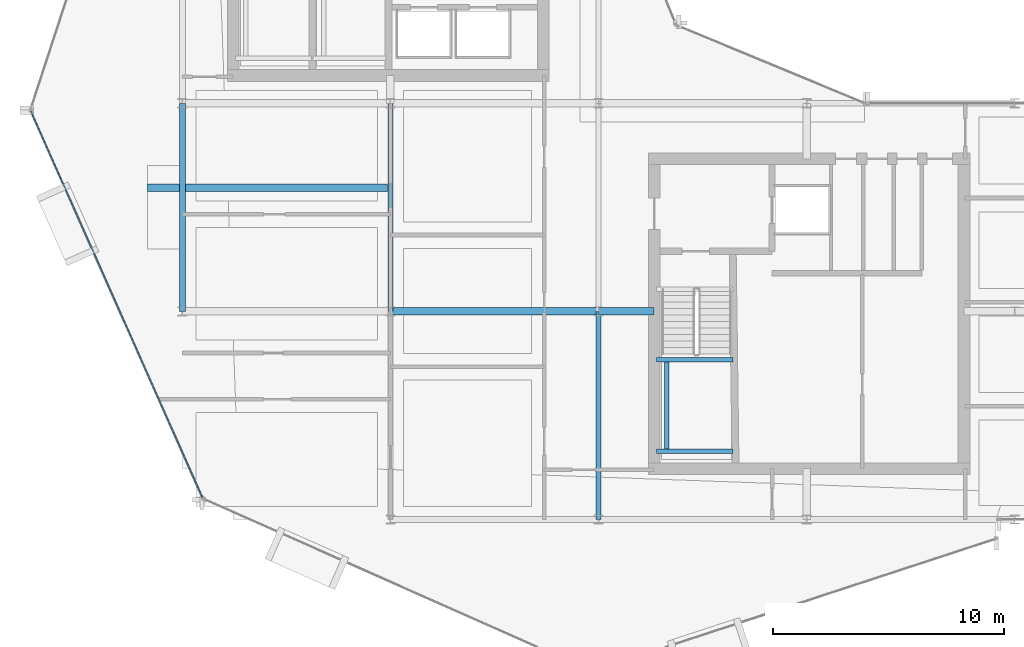
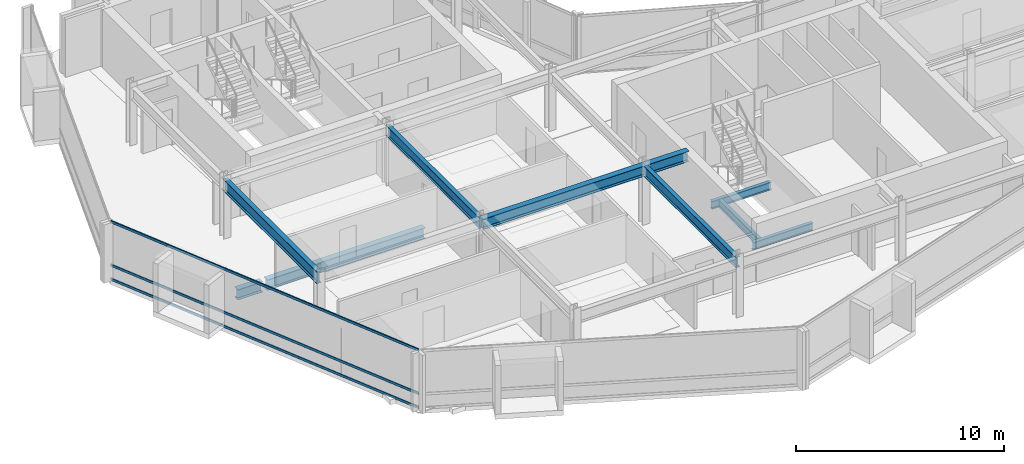
# One storey, part 5 of 28: 10 beams, 3 members, 1 element without a shape of its own.
"""IFC4 building model written with IfcOpenShell, lengths in metres."""

from ifc_helpers import new_model, si_unit, direction, frame, origin, origin_2d, place, context, subcontext, project, spatial, hollow_rectangle, i_section, extrude, material, layer, layer_set, material_profile, profile_set, type_object, element, aggregate, save


model = new_model("IFC4")

# Units and contexts
model_context = context("Model", 3, precision=1e-05, world=origin(), true_north=direction((0.0, 1.0)))
body_context = subcontext(model_context, "Body", "Model", "MODEL_VIEW")
ifc_project = project(units=[si_unit("LENGTHUNIT", "METRE"), si_unit("AREAUNIT", "SQUARE_METRE"), si_unit("VOLUMEUNIT", "CUBIC_METRE"), si_unit("PLANEANGLEUNIT", "RADIAN"), si_unit("MASSUNIT", "GRAM", prefix="KILO")], contexts=[model_context])

# Site, building, storey
site_placement = place(None, origin())
site = spatial("IfcSite", under=ifc_project, at=site_placement, CompositionType="ELEMENT")
building_placement = place(site_placement, origin())
building = spatial("IfcBuilding", under=site, at=building_placement, Name="Solvaryn Broadcast Tower", CompositionType="ELEMENT")
storey_placement = place(building_placement, frame((0.0, 0.0, 213.60009765625)))
storey = spatial("IfcBuildingStorey", under=building, at=storey_placement, Name="L53", CompositionType="ELEMENT", Elevation=213.60009765625)

# Beams
ifc_material_1 = material(Name="Steel ASTM A992 Grade 50", Category="steel")
ifc_material_profile_1 = material_profile(ifc_material_1, i_section(OverallWidth=0.323974609375, OverallDepth=0.611083984375, WebThickness=0.0126953125, FlangeThickness=0.01904296875, FilletRadius=0.014892578125, at=origin_2d()))
ifc_profile_set_1 = profile_set([ifc_material_profile_1], Name="Steel ASTM A992 Grade 50")
beam_type_1 = type_object("IfcBeamType", Name="BM-B1-W24X104", PredefinedType="BEAM", material=ifc_profile_set_1)
beam_1_placement = place(storey_placement, frame((17.875, 23.35009765625, -0.585693359375), z_axis=(-1.0, 0.0, 0.0), x_axis=(0.0, -1.0, 0.0)))
element("IfcBeam", 1, at=beam_1_placement, inside=storey, type_object=beam_type_1, Name="L53 Bay-Box Back-Span Beam 1", PredefinedType="BEAM", context=body_context, shape_type="SweptSolid", body=[
    extrude(i_section(OverallWidth=0.323974609375, OverallDepth=0.611083984375, WebThickness=0.0126953125, FlangeThickness=0.01904296875, FilletRadius=0.014892578125, at=origin_2d()), origin(), (0.0, 0.0, 1.0), 8.75),
])
beam_2_placement = place(storey_placement, frame((18.0, 18.0, 3.114501953125), z_axis=(1.0, 0.0, 0.0), x_axis=(0.0, 1.0, 0.0)))
element("IfcBeam", 2, at=beam_2_placement, inside=storey, type_object=beam_type_1, Name="L53 Primary Beam X (18-27 @ Y=18)", PredefinedType="BEAM", context=body_context, shape_type="SweptSolid", body=[
    extrude(i_section(OverallWidth=0.323974609375, OverallDepth=0.611083984375, WebThickness=0.0126953125, FlangeThickness=0.01904296875, FilletRadius=0.014892578125, at=origin_2d()), origin(), (0.0, 0.0, 1.0), 9.0),
])
beam_3_placement = place(storey_placement, frame((27.0, 18.0, 3.114501953125), z_axis=(1.0, 0.0, 0.0), x_axis=(0.0, 1.0, 0.0)))
element("IfcBeam", 3, at=beam_3_placement, inside=storey, type_object=beam_type_1, Name="L53 Core Tie Beam CTE4", PredefinedType="BEAM", context=body_context, shape_type="SweptSolid", body=[
    extrude(i_section(OverallWidth=0.323974609375, OverallDepth=0.611083984375, WebThickness=0.0126953125, FlangeThickness=0.01904296875, FilletRadius=0.014892578125, at=origin_2d()), origin(), (0.0, 0.0, 1.0), 2.39990234375),
])
ifc_material_2 = material(Name="Steel ASTM A992 Grade 50", Category="steel")
ifc_material_profile_2 = material_profile(ifc_material_2, i_section(OverallWidth=0.22802734375, OverallDepth=0.60791015625, WebThickness=0.01123046875, FlangeThickness=0.017333984375, FilletRadius=0.014892578125, at=origin_2d()))
ifc_profile_set_2 = profile_set([ifc_material_profile_2], Name="Steel ASTM A992 Grade 50")
beam_type_2 = type_object("IfcBeamType", Name="BM-B2-W24X76", PredefinedType="BEAM", material=ifc_profile_set_2)
for number, where, z_axis, x_axis, name in (
    (4, (18.0, 18.0, 3.115966796875), (0.0, 1.0, 0.0), (-1.0, 0.0, 0.0), "L53 Primary Beam Y (18-27 @ X=18)"),
    (5, (27.0, 9.0, 3.115966796875), (0.0, 1.0, 0.0), (-1.0, 0.0, 0.0), "L53 Primary Beam Y (9-18 @ X=27)"),
):
    element("IfcBeam", number, at=place(storey_placement, frame(where, z_axis=z_axis, x_axis=x_axis)), inside=storey, type_object=beam_type_2, Name=name, PredefinedType="BEAM", context=body_context, shape_type="SweptSolid", body=[
        extrude(i_section(OverallWidth=0.22802734375, OverallDepth=0.60791015625, WebThickness=0.01123046875, FlangeThickness=0.017333984375, FilletRadius=0.014892578125, at=origin_2d()), origin(), (0.0, 0.0, 1.0), 9.0),
    ])
ifc_material_3 = material(Name="Steel ASTM A992 Grade 50", Category="steel")
ifc_material_profile_3 = material_profile(ifc_material_3, i_section(OverallWidth=0.18994140625, OverallDepth=0.45703125, WebThickness=0.009033203125, FlangeThickness=0.014404296875, FilletRadius=0.011962890625, at=origin_2d()))
ifc_profile_set_3 = profile_set([ifc_material_profile_3], Name="Steel ASTM A992 Grade 50")
beam_type_3 = type_object("IfcBeamType", Name="BM-B4-W18X50", PredefinedType="BEAM", material=ifc_profile_set_3)
for number, where, z_axis, x_axis, name in (
    (6, (29.5, 11.949951171875, 1.42138671875), (1.0, 0.0, 0.0), (0.0, 1.0, 0.0), "L53 ST3 Landing Support Beam 1A"),
    (7, (29.5, 15.909912109375, 1.42138671875), (1.0, 0.0, 0.0), (0.0, 1.0, 0.0), "L53 ST3 Landing Support Beam 1B"),
):
    element("IfcBeam", number, at=place(storey_placement, frame(where, z_axis=z_axis, x_axis=x_axis)), inside=storey, type_object=beam_type_3, Name=name, PredefinedType="BEAM", context=body_context, shape_type="SweptSolid", body=[
        extrude(i_section(OverallWidth=0.18994140625, OverallDepth=0.45703125, WebThickness=0.009033203125, FlangeThickness=0.014404296875, FilletRadius=0.011962890625, at=origin_2d()), origin(), (0.0, 0.0, 1.0), 3.320068359375),
    ])
beam_4_placement = place(storey_placement, frame((29.949951171875, 11.949951171875, 1.42138671875), z_axis=(0.0, 1.0, 0.0), x_axis=(-1.0, 0.0, 0.0)))
element("IfcBeam", 8, at=beam_4_placement, inside=storey, type_object=beam_type_3, Name="L53 ST3 Landing Cross Stringer 1C", PredefinedType="BEAM", context=body_context, shape_type="SweptSolid", body=[
    extrude(i_section(OverallWidth=0.18994140625, OverallDepth=0.45703125, WebThickness=0.009033203125, FlangeThickness=0.014404296875, FilletRadius=0.011962890625, at=origin_2d()), origin(), (0.0, 0.0, 1.0), 3.9599609375),
])
ifc_material_4 = material(Name="Steel ASTM A992 Grade 50", Category="steel")
ifc_material_profile_4 = material_profile(ifc_material_4, i_section(OverallWidth=0.323974609375, OverallDepth=0.611083984375, WebThickness=0.0126953125, FlangeThickness=0.01904296875, FilletRadius=0.014892578125, at=origin_2d()))
ifc_profile_set_4 = profile_set([ifc_material_profile_4], Name="Steel ASTM A992 Grade 50")
beam_type_4 = type_object("IfcBeamType", Name="BM-CANT-TER", PredefinedType="BEAM", material=ifc_profile_set_4)
beam_5_placement = place(storey_placement, frame((8.875, 23.35009765625, -0.585693359375), z_axis=(-1.0, 0.0, 0.0), x_axis=(0.0, -1.0, 0.0)))
element("IfcBeam", 9, at=beam_5_placement, inside=storey, type_object=beam_type_4, Name="L53 Bay-Box Cantilever Bracket 1", PredefinedType="BEAM", context=body_context, shape_type="SweptSolid", body=[
    extrude(i_section(OverallWidth=0.323974609375, OverallDepth=0.611083984375, WebThickness=0.0126953125, FlangeThickness=0.01904296875, FilletRadius=0.014892578125, at=origin_2d()), origin(), (0.0, 0.0, 1.0), 1.375),
])
ifc_material_5 = material(Name="Steel ASTM A992 Grade 50", Category="steel")
ifc_material_profile_5 = material_profile(ifc_material_5, i_section(OverallWidth=0.256103515625, OverallDepth=0.693115234375, WebThickness=0.014404296875, FlangeThickness=0.023681640625, FilletRadius=0.01611328125, at=origin_2d()))
ifc_profile_set_5 = profile_set([ifc_material_profile_5], Name="Steel ASTM A992 Grade 50")
beam_type_5 = type_object("IfcBeamType", Name="BM-SP3-W27X114", PredefinedType="USERDEFINED", material=ifc_profile_set_5)
beam_6_placement = place(storey_placement, frame((9.0, 18.0, 3.073486328125), z_axis=(0.0, 1.0, 0.0), x_axis=(-1.0, 0.0, 0.0)))
element("IfcBeam", 10, at=beam_6_placement, inside=storey, type_object=beam_type_5, Name="L53 Spandrel Beam Y (18-27 @ X=9)", ObjectType="SPANDREL", PredefinedType="USERDEFINED", context=body_context, shape_type="SweptSolid", body=[
    extrude(i_section(OverallWidth=0.256103515625, OverallDepth=0.693115234375, WebThickness=0.014404296875, FlangeThickness=0.023681640625, FilletRadius=0.01611328125, at=origin_2d()), origin(), (0.0, 0.0, 1.0), 9.0),
])

# Curtain wall, members
ifc_material_6 = material(Name="Aluminium and Terracotta Unitised Curtain Wall", Category="masonry")
ifc_layer = layer(ifc_material_6, 0.199951171875)
ifc_layer_set = layer_set([ifc_layer], Name="CW-SYS2-LOWMID")
curtain_wall_type = type_object("IfcCurtainWallType", Name="CW-SYS2-LOWMID", PredefinedType="NOTDEFINED", material=ifc_layer_set)
curtain_wall_placement = place(storey_placement, origin())
curtain_wall = element("IfcCurtainWall", 11, at=curtain_wall_placement, inside=storey, type_object=curtain_wall_type, Name="L53 Curtain Wall DR2", PredefinedType="NOTDEFINED")
ifc_material_7 = material(Name="Anodised Aluminium 6063-T6", Category="aluminium")
ifc_material_profile_6 = material_profile(ifc_material_7, hollow_rectangle(XDim=0.06494140625, YDim=0.14990234375, WallThickness=0.00390625, InnerFilletRadius=0.00390625, OuterFilletRadius=0.008056640625, at=origin_2d()))
ifc_profile_set_6 = profile_set([ifc_material_profile_6], Name="Anodised Aluminium 6063-T6")
member_type = type_object("IfcMemberType", Name="CW-TRN-150", PredefinedType="USERDEFINED", material=ifc_profile_set_6)
member_1_placement = place(storey_placement, frame((2.457275390625, 26.651123046875, 0.02978515625), z_axis=(0.405901653299, -0.913916761992, 0.0), x_axis=(0.913916761992, 0.405901653299, 0.0)))
member_1 = element("IfcMember", 12, at=member_1_placement, type_object=member_type, Name="CWS2 transom 1.1", ObjectType="TRANSOM", PredefinedType="USERDEFINED", context=body_context, shape_type="SweptSolid", body=[
    extrude(hollow_rectangle(XDim=0.06494140625, YDim=0.14990234375, WallThickness=0.00390625, InnerFilletRadius=0.00390625, OuterFilletRadius=0.008056640625, at=origin_2d()), origin(), (0.0, 0.0, 1.0), 18.27099609375),
])
member_2_placement = place(storey_placement, frame((2.457275390625, 26.651123046875, 0.849853515625), z_axis=(0.405901653299, -0.913916761992, 0.0), x_axis=(0.913916761992, 0.405901653299, 0.0)))
member_2 = element("IfcMember", 13, at=member_2_placement, type_object=member_type, Name="CWS2 transom 1.2", ObjectType="TRANSOM", PredefinedType="USERDEFINED", context=body_context, shape_type="SweptSolid", body=[
    extrude(hollow_rectangle(XDim=0.06494140625, YDim=0.14990234375, WallThickness=0.00390625, InnerFilletRadius=0.00390625, OuterFilletRadius=0.008056640625, at=origin_2d()), origin(), (0.0, 0.0, 1.0), 18.27099609375),
])
member_3_placement = place(storey_placement, frame((2.457275390625, 26.651123046875, 3.389892578125), z_axis=(0.405901653299, -0.913916761992, 0.0), x_axis=(0.913916761992, 0.405901653299, 0.0)))
member_3 = element("IfcMember", 14, at=member_3_placement, type_object=member_type, Name="CWS2 transom 1.3", ObjectType="TRANSOM", PredefinedType="USERDEFINED", context=body_context, shape_type="SweptSolid", body=[
    extrude(hollow_rectangle(XDim=0.06494140625, YDim=0.14990234375, WallThickness=0.00390625, InnerFilletRadius=0.00390625, OuterFilletRadius=0.008056640625, at=origin_2d()), origin(), (0.0, 0.0, 1.0), 18.27099609375),
])
aggregate(curtain_wall, [member_1, member_2, member_3])

save(model, "model.ifc")
